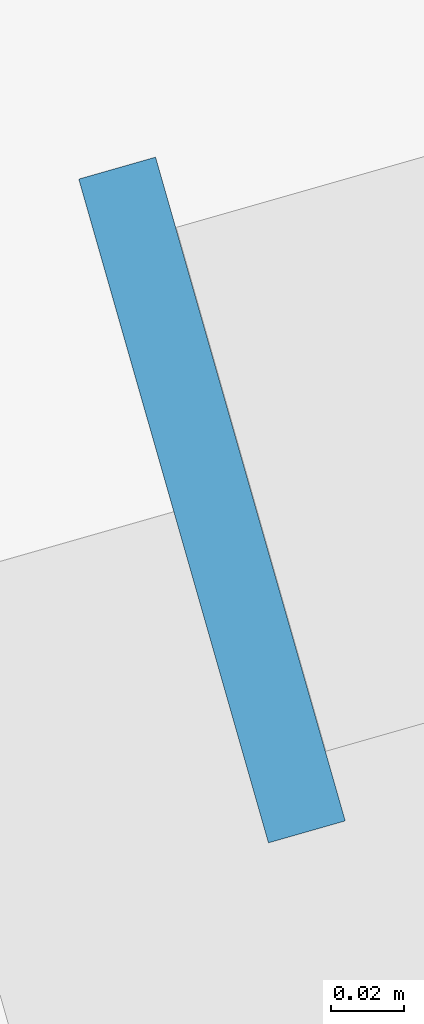
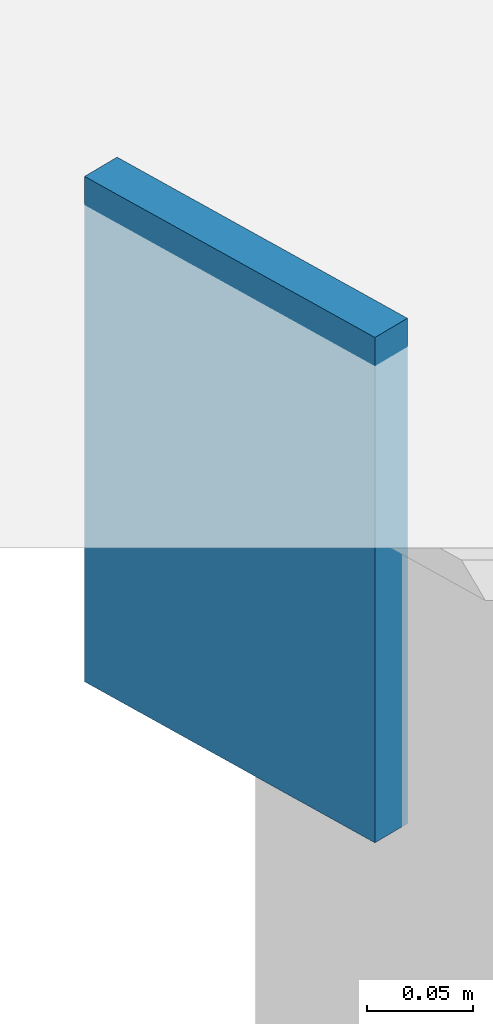
# One storey, part 47 of 90: 1 plate.
"""IFC4 building model written with IfcOpenShell, lengths in metres."""

from ifc_helpers import new_model, si_unit, direction, frame, origin, origin_2d, place, context, subcontext, project, spatial, rectangle, extrude, material, layer, layer_set, type_object, element, save


model = new_model("IFC4")

# Units and contexts
model_context = context("Model", 3, precision=1e-05, world=origin(), true_north=direction((0.0, 1.0)))
body_context = subcontext(model_context, "Body", "Model", "MODEL_VIEW")
ifc_project = project(units=[si_unit("LENGTHUNIT", "METRE"), si_unit("AREAUNIT", "SQUARE_METRE"), si_unit("VOLUMEUNIT", "CUBIC_METRE"), si_unit("PLANEANGLEUNIT", "RADIAN"), si_unit("MASSUNIT", "GRAM", prefix="KILO")], contexts=[model_context])

# Site, building, storey
site_placement = place(None, origin())
site = spatial("IfcSite", under=ifc_project, at=site_placement, CompositionType="ELEMENT")
building_placement = place(site_placement, origin())
building = spatial("IfcBuilding", under=site, at=building_placement, Name="Wrenclough Park School", CompositionType="ELEMENT")
storey_placement = place(building_placement, frame((0.0, 0.0, 8.39990234375)))
storey = spatial("IfcBuildingStorey", under=building, at=storey_placement, Name="L02", CompositionType="ELEMENT", Elevation=8.39990234375)

# Plate
ifc_material = material(Name="Structural steel S355", Category="steel")
ifc_layer = layer(ifc_material, 0.2900390625)
ifc_layer_set = layer_set([ifc_layer], Name="Structural steel S355")
plate_type = type_object("IfcPlateType", Name="STR-PL-EP250", PredefinedType="SHEET", material=ifc_layer_set)
plate_placement = place(storey_placement, frame((34.447509765625, 102.16796875, -0.5), z_axis=(0.0, 0.0, 1.0), x_axis=(0.961501868857, 0.27479839189, 0.0)))
element("IfcPlate", 1, at=plate_placement, inside=storey, type_object=plate_type, Name="W34 eave fascia L1 start sealing end-cap plate", PredefinedType="SHEET", context=body_context, shape_type="SweptSolid", body=[
    extrude(rectangle(XDim=0.02197265625, YDim=0.18994140625, at=origin_2d()), origin(), (0.0, 0.0, 1.0), 0.2900390625),
])

save(model, "model.ifc")
